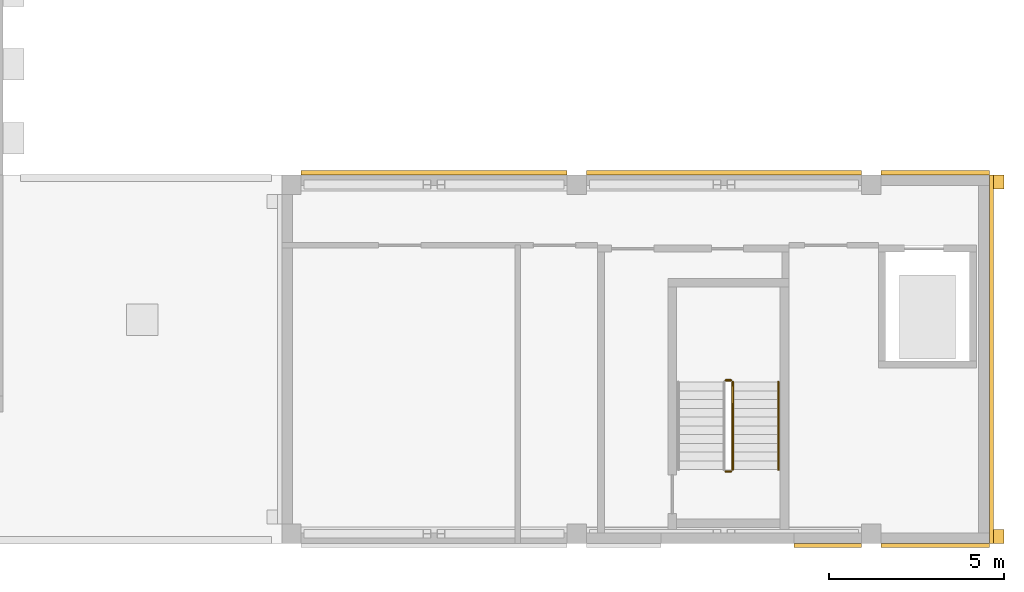
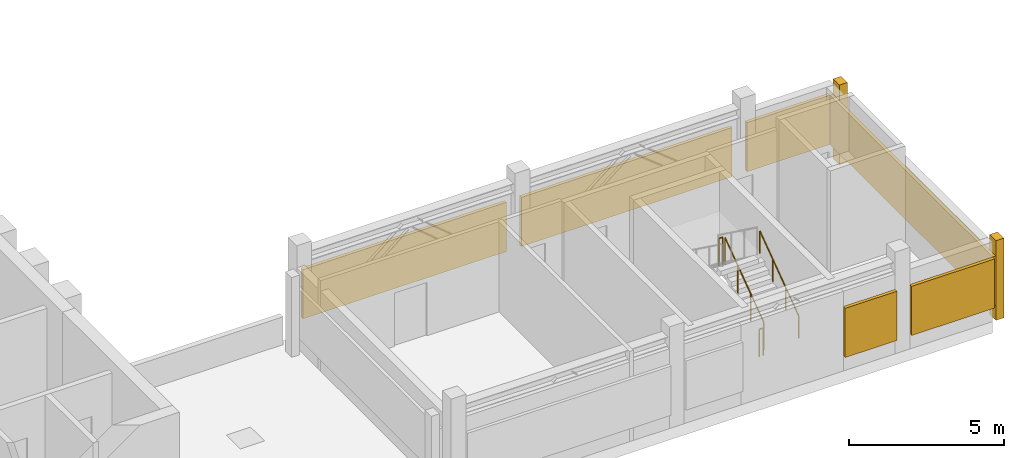
# One storey, part 6 of 8: 8 coverings, 4 railings.
"""IFC4 building model written with IfcOpenShell, lengths in metres."""

from ifc_helpers import new_model, si_unit, direction, frame, origin, origin_2d, place, context, subcontext, project, spatial, rectangle, circle, extrude, source, transform, mapped, material, type_object, element, save


model = new_model("IFC4")

# Units and contexts
model_context = context("Model", 3, precision=1e-05, world=origin(), true_north=direction((0.0, 1.0)))
body_context = subcontext(model_context, "Body", "Model", "MODEL_VIEW")
ifc_project = project(units=[si_unit("LENGTHUNIT", "METRE"), si_unit("AREAUNIT", "SQUARE_METRE"), si_unit("VOLUMEUNIT", "CUBIC_METRE"), si_unit("PLANEANGLEUNIT", "RADIAN"), si_unit("MASSUNIT", "GRAM", prefix="KILO")], contexts=[model_context])

# Site, building, storey
site_placement = place(None, origin())
site = spatial("IfcSite", under=ifc_project, at=site_placement, CompositionType="ELEMENT")
building_placement = place(site_placement, origin())
building = spatial("IfcBuilding", under=site, at=building_placement, Name="Aurelian Terraces", CompositionType="ELEMENT")
storey_placement = place(building_placement, frame((0.0, 0.0, 368.5)))
storey = spatial("IfcBuildingStorey", under=building, at=storey_placement, Name="L88", CompositionType="ELEMENT", Elevation=368.5)

# Coverings
ifc_material_1 = material(Name="Terracotta rainscreen cladding relief", Category="masonry")
covering_type_1 = type_object("IfcCoveringType", Name="FIN-TC", PredefinedType="CLADDING", material=ifc_material_1)
covering_1_placement = place(storey_placement, frame((49.83, 0.2, 0.0), z_axis=(0.0, 0.0, 1.0), x_axis=(1.0, 0.0, 0.0)))
element("IfcCovering", 1, at=covering_1_placement, inside=storey, type_object=covering_type_1, Name="FIN crown L88 F06", PredefinedType="CLADDING", context=body_context, shape_type="SweptSolid", body=[
    extrude(rectangle(XDim=0.3, YDim=0.4, at=origin_2d()), origin(), (0.0, 0.0, 1.0), 3.1363),
])
ifc_material_2 = material(Name="Terracotta rainscreen cladding louvre blades", Category="masonry")
covering_type_2 = type_object("IfcCoveringType", Name="LOUVRE-TC", PredefinedType="CLADDING", material=ifc_material_2)
covering_2_placement = place(storey_placement, frame((44.9625, -0.06, 0.6001), z_axis=(0.0, 0.0, 1.0), x_axis=(1.0, 0.0, 0.0)))
element("IfcCovering", 2, at=covering_2_placement, inside=storey, type_object=covering_type_2, Name="LOUVRE L88 F05", PredefinedType="CLADDING", context=body_context, shape_type="SweptSolid", body=[
    extrude(rectangle(XDim=1.925, YDim=0.12, at=origin_2d()), origin(), (0.0, 0.0, 1.0), 1.9363),
])
covering_3_placement = place(storey_placement, frame((48.0175, -0.06, 0.6001), z_axis=(0.0, 0.0, 1.0), x_axis=(1.0, 0.0, 0.0)))
element("IfcCovering", 3, at=covering_3_placement, inside=storey, type_object=covering_type_2, Name="LOUVRE L88 F05", PredefinedType="CLADDING", context=body_context, shape_type="SweptSolid", body=[
    extrude(rectangle(XDim=3.085, YDim=0.12, at=origin_2d()), origin(), (0.0, 0.0, 1.0), 1.9363),
])
covering_4_placement = place(storey_placement, frame((49.62, 5.25, 0.6001), z_axis=(0.0, 0.0, 1.0), x_axis=(1.0, 0.0, 0.0)))
element("IfcCovering", 4, at=covering_4_placement, inside=storey, type_object=covering_type_2, Name="LOUVRE L88 F06", PredefinedType="CLADDING", context=body_context, shape_type="SweptSolid", body=[
    extrude(rectangle(XDim=0.12, YDim=10.5, at=origin_2d()), origin(), (0.0, 0.0, 1.0), 1.9363),
])
covering_5_placement = place(storey_placement, frame((42.0, 10.56, 0.6001), z_axis=(0.0, 0.0, 1.0), x_axis=(1.0, 0.0, 0.0)))
element("IfcCovering", 5, at=covering_5_placement, inside=storey, type_object=covering_type_2, Name="LOUVRE L88 F07", PredefinedType="CLADDING", context=body_context, shape_type="SweptSolid", body=[
    extrude(rectangle(XDim=7.85, YDim=0.12, at=origin_2d()), origin(), (0.0, 0.0, 1.0), 1.9363),
])
shared_shape_1 = source(origin(), body_context, "Body", "SweptSolid", [
    extrude(rectangle(XDim=0.3, YDim=0.4, at=origin_2d()), origin(), (0.0, 0.0, 1.0), 3.1363),
])
covering_6_placement = place(storey_placement, frame((49.83, 10.3, 0.0), z_axis=(0.0, 0.0, 1.0), x_axis=(1.0, 0.0, 0.0)))
element("IfcCovering", 6, at=covering_6_placement, inside=storey, type_object=covering_type_1, Name="FIN crown L88 F06", PredefinedType="CLADDING", context=body_context, shape_type="MappedRepresentation", body=[
    mapped(shared_shape_1, transform((0.0, 0.0, 0.0), scale=1.0)),
])
shared_shape_2 = source(origin(), body_context, "Body", "SweptSolid", [
    extrude(rectangle(XDim=3.085, YDim=0.12, at=origin_2d()), origin(), (0.0, 0.0, 1.0), 1.9363),
])
covering_7_placement = place(storey_placement, frame((48.0175, 10.56, 0.6001), z_axis=(0.0, 0.0, 1.0), x_axis=(1.0, 0.0, 0.0)))
element("IfcCovering", 7, at=covering_7_placement, inside=storey, type_object=covering_type_2, Name="LOUVRE L88 F07", PredefinedType="CLADDING", context=body_context, shape_type="MappedRepresentation", body=[
    mapped(shared_shape_2, transform((0.0, 0.0, 0.0), scale=1.0)),
])
shared_shape_3 = source(origin(), body_context, "Body", "SweptSolid", [
    extrude(rectangle(XDim=7.575, YDim=0.12, at=origin_2d()), origin(), (0.0, 0.0, 1.0), 1.9363),
])
covering_8_placement = place(storey_placement, frame((33.7375, 10.56, 0.6001), z_axis=(0.0, 0.0, 1.0), x_axis=(1.0, 0.0, 0.0)))
element("IfcCovering", 8, at=covering_8_placement, inside=storey, type_object=covering_type_2, Name="LOUVRE L88 F07", PredefinedType="CLADDING", context=body_context, shape_type="MappedRepresentation", body=[
    mapped(shared_shape_3, transform((0.0, 0.0, 0.0), scale=1.0)),
])

# Railings
ifc_material_3 = material(Name="Stainless steel", Category="steel")
railing_type_1 = type_object("IfcRailingType", Name="Stair guard 1100", PredefinedType="GUARDRAIL", material=ifc_material_3)
shared_shape_4 = source(origin(), body_context, "Body", "SweptSolid", [
    extrude(circle(Radius=0.024, at=origin_2d()), frame((0.0, 0.0, 1.076), z_axis=(-1.0, 0.0, 0.0), x_axis=(0.0, -1.0, 0.0)), (0.0, 0.0, 1.0), 0.15),
    extrude(circle(Radius=0.021, at=origin_2d()), origin(), (0.0, 0.0, 1.0), 1.052),
    extrude(circle(Radius=0.021, at=origin_2d()), frame((-0.15, 0.0, 0.0)), (0.0, 0.0, 1.0), 1.052),
])
for number, where, name in (
    (9, (42.2, 4.65, 2.0), "L88 S2 stair guard 2"),
    (10, (42.2, 2.05, 0.0), "L88 S2 stair guard 4"),
):
    element("IfcRailing", number, at=place(storey_placement, frame(where)), inside=storey, type_object=railing_type_1, Name=name, PredefinedType="GUARDRAIL", context=body_context, shape_type="MappedRepresentation", body=[
        mapped(shared_shape_4, transform((0.0, 0.0, 0.0), scale=1.0)),
    ])
shared_shape_5 = source(origin(), body_context, "Body", "SweptSolid", [
    extrude(circle(Radius=0.024, at=origin_2d()), frame((0.0, 0.0, 1.076), z_axis=(0.0, 0.808733286514, 0.588175544616), x_axis=(-1.0, 0.0, 0.0)), (0.0, 0.0, 1.0), 3.0913),
    extrude(circle(Radius=0.021, at=origin_2d()), origin(), (0.0, 0.0, 1.0), 1.052),
    extrude(circle(Radius=0.021, at=origin_2d()), frame((0.0, 0.8333, 0.6061)), (0.0, 0.0, 1.0), 1.052),
    extrude(circle(Radius=0.021, at=origin_2d()), frame((0.0, 1.6667, 1.2121)), (0.0, 0.0, 1.0), 1.052),
    extrude(circle(Radius=0.021, at=origin_2d()), frame((0.0, 2.5, 1.8182)), (0.0, 0.0, 1.0), 1.052),
])
railing_1_placement = place(storey_placement, frame((42.25, 2.1, 0.1818)))
element("IfcRailing", 11, at=railing_1_placement, inside=storey, type_object=railing_type_1, Name="L88 S2 stair guard 1", PredefinedType="GUARDRAIL", context=body_context, shape_type="MappedRepresentation", body=[
    mapped(shared_shape_5, transform((0.0, 0.0, 0.0), scale=1.0)),
])
railing_type_2 = type_object("IfcRailingType", Name="Stair handrail", PredefinedType="HANDRAIL", material=ifc_material_3)
shared_shape_6 = source(origin(), body_context, "Body", "SweptSolid", [
    extrude(circle(Radius=0.024, at=origin_2d()), frame((0.0, 0.0, 0.876), z_axis=(0.0, 0.808733286514, 0.588175544616), x_axis=(-1.0, 0.0, 0.0)), (0.0, 0.0, 1.0), 3.0913),
    extrude(circle(Radius=0.021, at=origin_2d()), origin(), (0.0, 0.0, 1.0), 0.852),
    extrude(circle(Radius=0.021, at=origin_2d()), frame((0.0, 0.8333, 0.6061)), (0.0, 0.0, 1.0), 0.852),
    extrude(circle(Radius=0.021, at=origin_2d()), frame((0.0, 1.6667, 1.2121)), (0.0, 0.0, 1.0), 0.852),
    extrude(circle(Radius=0.021, at=origin_2d()), frame((0.0, 2.5, 1.8182)), (0.0, 0.0, 1.0), 0.852),
])
railing_2_placement = place(storey_placement, frame((43.55, 2.1, 0.1818)))
element("IfcRailing", 12, at=railing_2_placement, inside=storey, type_object=railing_type_2, Name="L88 S2 stair handrail 1", PredefinedType="HANDRAIL", context=body_context, shape_type="MappedRepresentation", body=[
    mapped(shared_shape_6, transform((0.0, 0.0, 0.0), scale=1.0)),
])

save(model, "model.ifc")
